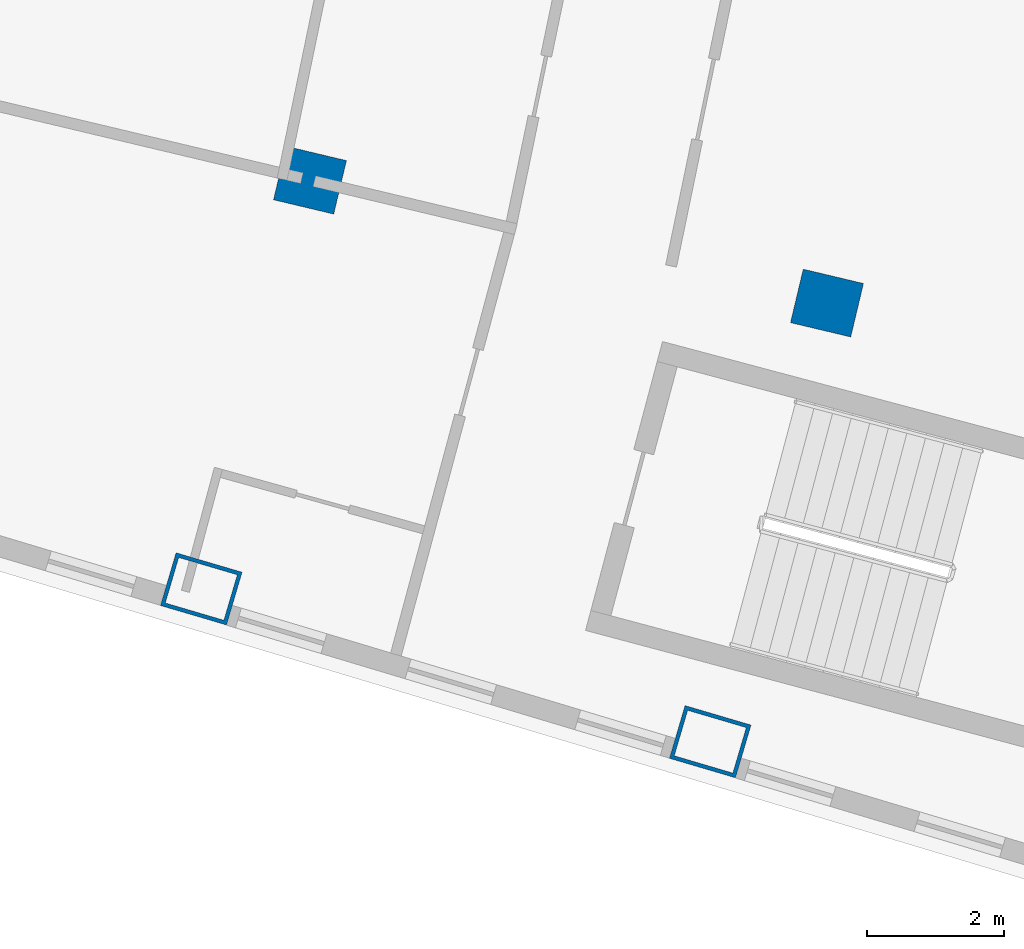
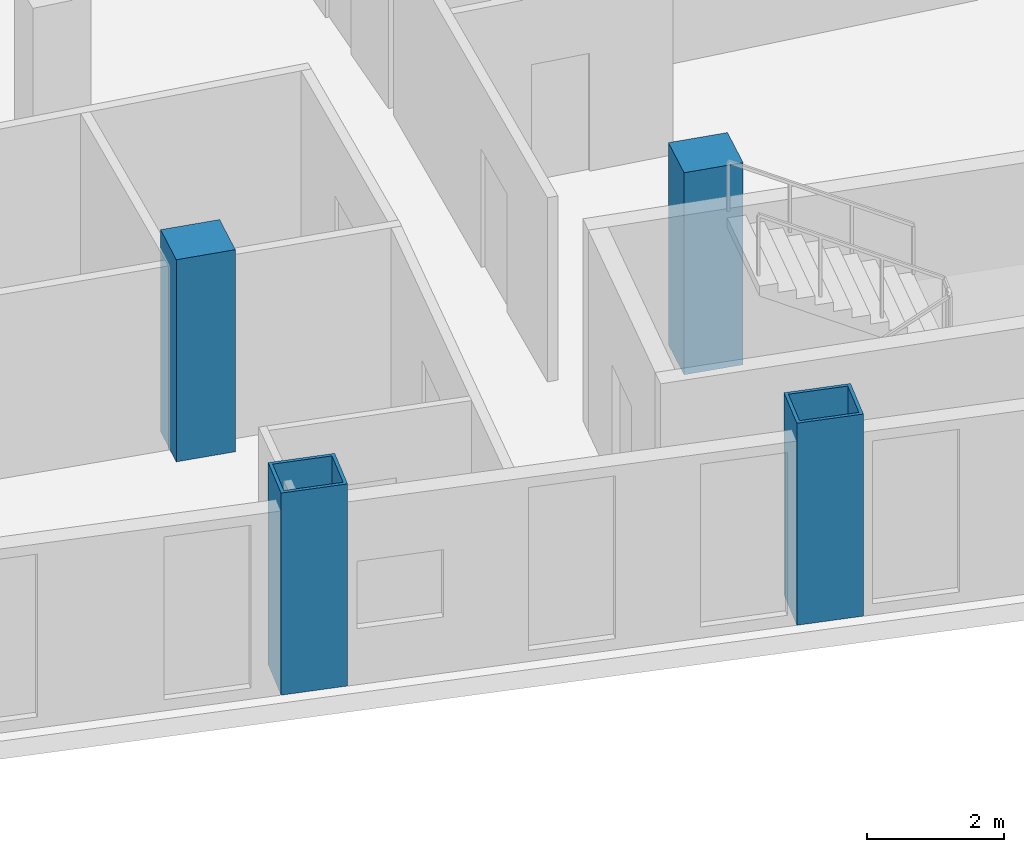
# One storey, part 2 of 20: 4 columns.
"""IFC4 building model written with IfcOpenShell, lengths in metres."""

from ifc_helpers import new_model, si_unit, direction, frame, origin, origin_2d, place, context, subcontext, project, spatial, rectangle, hollow_rectangle, extrude, material, material_profile, profile_set, type_object, element, save


model = new_model("IFC4")

# Units and contexts
model_context = context("Model", 3, precision=1e-05, world=origin(), true_north=direction((0.0, 1.0)))
body_context = subcontext(model_context, "Body", "Model", "MODEL_VIEW")
ifc_project = project(units=[si_unit("LENGTHUNIT", "METRE"), si_unit("AREAUNIT", "SQUARE_METRE"), si_unit("VOLUMEUNIT", "CUBIC_METRE"), si_unit("PLANEANGLEUNIT", "RADIAN"), si_unit("MASSUNIT", "GRAM", prefix="KILO")], contexts=[model_context])

# Site, building, storey
site_placement = place(None, origin())
site = spatial("IfcSite", under=ifc_project, at=site_placement, CompositionType="ELEMENT")
building_placement = place(site_placement, origin())
building = spatial("IfcBuilding", under=site, at=building_placement, Name="Alderwake Tower", CompositionType="ELEMENT")
storey_placement = place(building_placement, frame((0.0, 0.0, 178.39990234375)))
storey = spatial("IfcBuildingStorey", under=building, at=storey_placement, Name="L44", CompositionType="ELEMENT", Elevation=178.39990234375)

# Columns
ifc_material_1 = material(Name="Steel ASTM A572 Grade 50 concrete filled C70/85", Category="concrete")
ifc_material_profile_1 = material_profile(ifc_material_1, hollow_rectangle(XDim=0.800048828125, YDim=1.0, WallThickness=0.054931640625, at=origin_2d()), Name="BOX 1000X800X55")
ifc_profile_set_1 = profile_set([ifc_material_profile_1], Name="Steel ASTM A572 Grade 50 concrete filled C70/85")
column_type_1 = type_object("IfcColumnType", Name="End column Z3", PredefinedType="COLUMN", material=ifc_profile_set_1)
for number, where, z_axis, x_axis, name in (
    (1, (31.080322265625, 28.27685546875, 0.0), (0.0, 0.0, 1.0), (0.282582549822, 0.959242984095, 0.0), "Column R02-C2"),
    (2, (38.487060546875, 26.05322265625, 0.0), (0.0, 0.0, 1.0), (0.282893935167, 0.959151198428, 0.0), "Column R02-C3"),
):
    element("IfcColumn", number, at=place(storey_placement, frame(where, z_axis=z_axis, x_axis=x_axis)), inside=storey, type_object=column_type_1, Name=name, PredefinedType="COLUMN", context=body_context, shape_type="SweptSolid", body=[
        extrude(hollow_rectangle(XDim=0.800048828125, YDim=1.0, WallThickness=0.054931640625, at=origin_2d()), origin(), (0.0, 0.0, 1.0), 3.60009765625),
    ])
ifc_material_2 = material(Name="Concrete C70/85", Category="concrete")
ifc_material_profile_2 = material_profile(ifc_material_2, rectangle(XDim=0.800048828125, YDim=0.89990234375, at=origin_2d()), Name="RC 900X800")
ifc_profile_set_2 = profile_set([ifc_material_profile_2], Name="Concrete C70/85")
column_type_2 = type_object("IfcColumnType", Name="Interior column Z3", PredefinedType="COLUMN", material=ifc_profile_set_2)
for number, where, z_axis, x_axis, name in (
    (3, (32.661865234375, 34.224609375, 0.0), (0.0, 0.0, 1.0), (0.231221547198, 0.972901123502, 0.0), "Column R03-C2"),
    (4, (40.185791015625, 32.436279296875, 0.0), (0.0, 0.0, 1.0), (0.231221547198, 0.972901123502, 0.0), "Column R03-C3"),
):
    element("IfcColumn", number, at=place(storey_placement, frame(where, z_axis=z_axis, x_axis=x_axis)), inside=storey, type_object=column_type_2, Name=name, PredefinedType="COLUMN", context=body_context, shape_type="SweptSolid", body=[
        extrude(rectangle(XDim=0.800048828125, YDim=0.89990234375, at=origin_2d()), origin(), (0.0, 0.0, 1.0), 3.60009765625),
    ])

save(model, "model.ifc")
